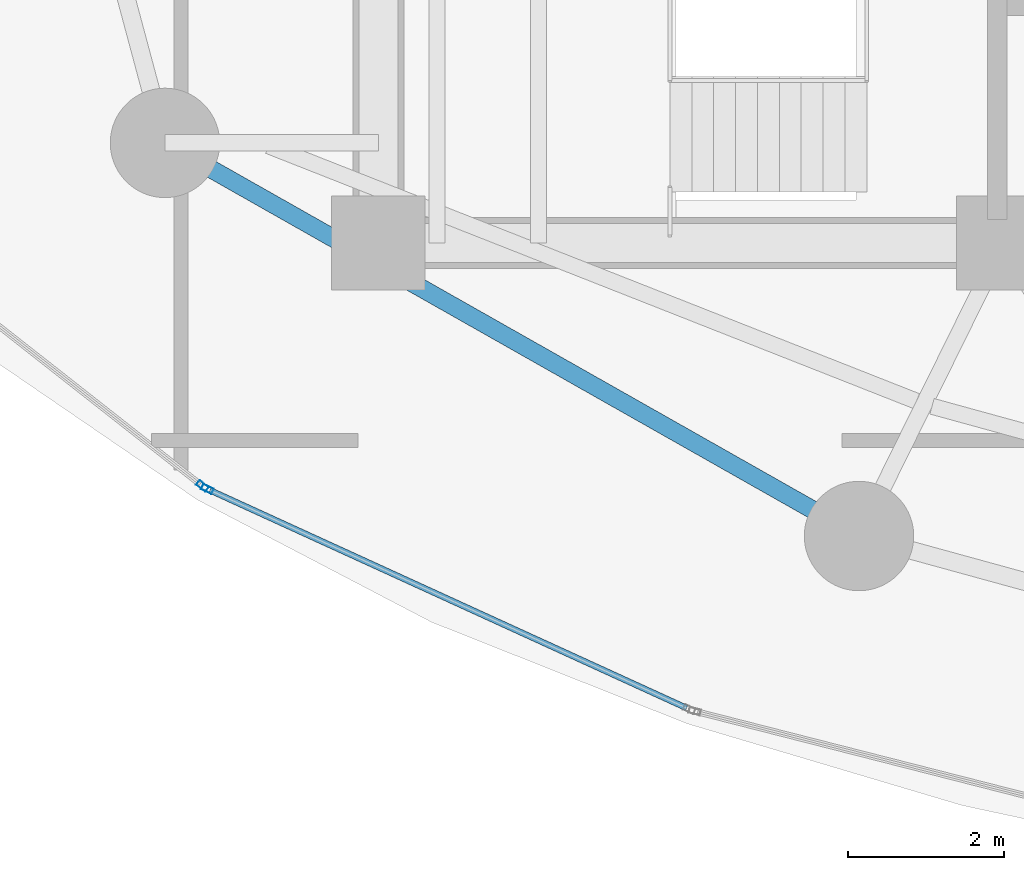
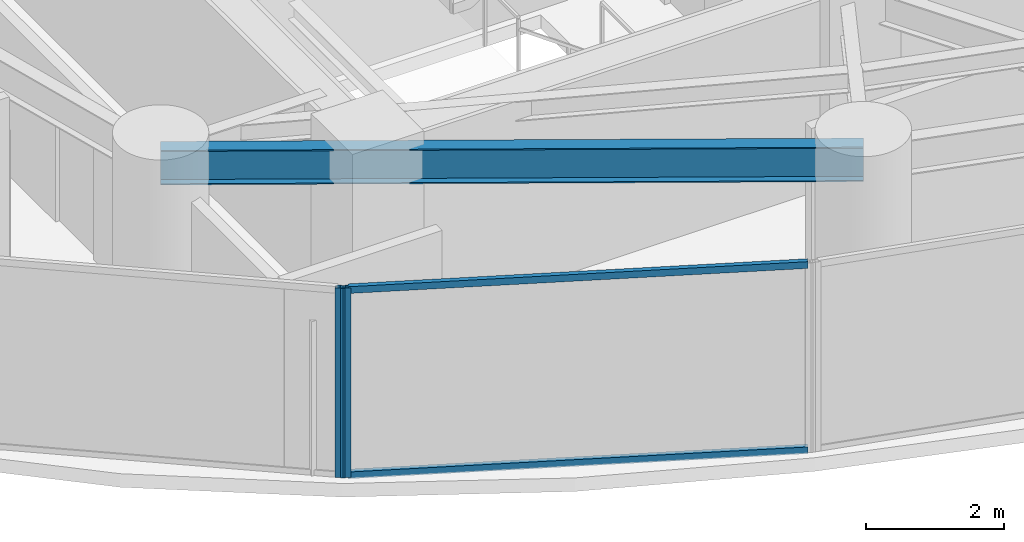
# One storey, part 2 of 31: 4 members, 1 beam, 2 elements without a shape of their own.
"""IFC4 building model written with IfcOpenShell, lengths in metres."""

from ifc_helpers import new_model, si_unit, direction, frame, origin, origin_2d, place, context, subcontext, project, spatial, hollow_rectangle, i_section, extrude, material, layer, layer_set, material_profile, profile_set, type_object, element, aggregate, save


model = new_model("IFC4")

# Units and contexts
model_context = context("Model", 3, precision=1e-05, world=origin(), true_north=direction((0.0, 1.0)))
body_context = subcontext(model_context, "Body", "Model", "MODEL_VIEW")
ifc_project = project(units=[si_unit("LENGTHUNIT", "METRE"), si_unit("AREAUNIT", "SQUARE_METRE"), si_unit("VOLUMEUNIT", "CUBIC_METRE"), si_unit("PLANEANGLEUNIT", "RADIAN"), si_unit("MASSUNIT", "GRAM", prefix="KILO")], contexts=[model_context])

# Site, building, storey
site_placement = place(None, origin())
site = spatial("IfcSite", under=ifc_project, at=site_placement, CompositionType="ELEMENT")
building_placement = place(site_placement, origin())
building = spatial("IfcBuilding", under=site, at=building_placement, Name="Kazevale Care Tower and Concert Hall", CompositionType="ELEMENT")
storey_placement = place(building_placement, frame((0.0, 0.0, 56.39990234375)))
storey = spatial("IfcBuildingStorey", under=building, at=storey_placement, Name="L14", CompositionType="ELEMENT", Elevation=56.39990234375)

# Curtain wall, member
ifc_material_1 = material(Name="Aluminium 6063-T6 and Low-E Glass", Category="aluminium")
ifc_layer = layer(ifc_material_1, 0.179931640625)
ifc_layer_set = layer_set([ifc_layer], Name="Aluminium 6063-T6 and Low-E Glass")
curtain_wall_type = type_object("IfcCurtainWallType", Name="Sheltered Concave Balcony Curtain Wall CW-5", PredefinedType="NOTDEFINED", material=ifc_layer_set)
curtain_wall_1_placement = place(storey_placement, origin())
curtain_wall_1 = element("IfcCurtainWall", 1, at=curtain_wall_1_placement, inside=storey, type_object=curtain_wall_type, Name="cw:L14:f09", PredefinedType="NOTDEFINED")
ifc_material_2 = material(Name="Aluminium 6063-T6", Category="aluminium")
ifc_material_profile_1 = material_profile(ifc_material_2, hollow_rectangle(XDim=0.074951171875, YDim=0.14990234375, WallThickness=0.00390625, at=origin_2d()), Name="ALU75x150x4")
ifc_profile_set_1 = profile_set([ifc_material_profile_1], Name="Aluminium 6063-T6")
member_type_1 = type_object("IfcMemberType", Name="CW-5 Mullion ALU75x150x4", PredefinedType="MULLION", material=ifc_profile_set_1)
member_1_placement = place(storey_placement, frame((19.81201171875, 20.451416015625, 0.0), z_axis=(0.0, 0.0, 1.0), x_axis=(-0.415659767773, -0.909520179795, 0.0)))
member_1 = element("IfcMember", 2, at=member_1_placement, type_object=member_type_1, Name="CW-5 mullion 2", PredefinedType="MULLION", context=body_context, shape_type="SweptSolid", body=[
    extrude(hollow_rectangle(XDim=0.074951171875, YDim=0.14990234375, WallThickness=0.00390625, at=origin_2d()), origin(), (0.0, 0.0, 1.0), 3.360107421875),
])

curtain_wall_2_placement = place(storey_placement, origin())
curtain_wall_2 = element("IfcCurtainWall", 3, at=curtain_wall_2_placement, inside=storey, type_object=curtain_wall_type, Name="cw:L14:f10", PredefinedType="NOTDEFINED")
member_2_placement = place(storey_placement, frame((19.74853515625, 20.490234375, 0.0), z_axis=(0.0, 0.0, 1.0), x_axis=(-0.617807548814, -0.78632934107, 0.0)))
member_2 = element("IfcMember", 4, at=member_2_placement, type_object=member_type_1, Name="CW-5 mullion 1", PredefinedType="MULLION", context=body_context, shape_type="SweptSolid", body=[
    extrude(hollow_rectangle(XDim=0.074951171875, YDim=0.14990234375, WallThickness=0.00390625, at=origin_2d()), origin(), (0.0, 0.0, 1.0), 3.360107421875),
])
aggregate(curtain_wall_2, [member_2])

# Member
ifc_material_profile_2 = material_profile(ifc_material_2, hollow_rectangle(XDim=0.074951171875, YDim=0.1201171875, WallThickness=0.00390625, at=origin_2d()), Name="ALU75x120x4")
ifc_profile_set_2 = profile_set([ifc_material_profile_2], Name="Aluminium 6063-T6")
member_type_2 = type_object("IfcMemberType", Name="CW-5 Transom ALU75x120x4", PredefinedType="USERDEFINED", material=ifc_profile_set_2)
member_3_placement = place(storey_placement, frame((25.94384765625, 17.649169921875, 0.03759765625), z_axis=(-0.909524040017, 0.415651320978, 0.0), x_axis=(-0.415651320978, -0.909524040017, 0.0)))
member_3 = element("IfcMember", 5, at=member_3_placement, type_object=member_type_2, Name="CW-5 transom 1.1", ObjectType="TRANSOM", PredefinedType="USERDEFINED", context=body_context, shape_type="SweptSolid", body=[
    extrude(hollow_rectangle(XDim=0.074951171875, YDim=0.1201171875, WallThickness=0.00390625, at=origin_2d()), origin(), (0.0, 0.0, 1.0), 6.704345703125),
])

member_4_placement = place(storey_placement, frame((25.94384765625, 17.649169921875, 3.322509765625), z_axis=(-0.909524040017, 0.415651320978, 0.0), x_axis=(-0.415651320978, -0.909524040017, 0.0)))
member_4 = element("IfcMember", 6, at=member_4_placement, type_object=member_type_2, Name="CW-5 transom 1.2", ObjectType="TRANSOM", PredefinedType="USERDEFINED", context=body_context, shape_type="SweptSolid", body=[
    extrude(hollow_rectangle(XDim=0.074951171875, YDim=0.1201171875, WallThickness=0.00390625, at=origin_2d()), origin(), (0.0, 0.0, 1.0), 6.704345703125),
])

aggregate(curtain_wall_1, [member_1, member_3, member_4])

# Beam
ifc_material_3 = material(Name="Steel ASTM A572 Gr 50", Category="steel")
ifc_material_profile_3 = material_profile(ifc_material_3, i_section(OverallWidth=0.22900390625, OverallDepth=0.612060546875, WebThickness=0.011962890625, FlangeThickness=0.01953125, at=origin_2d()), Name="W610x125")
ifc_profile_set_3 = profile_set([ifc_material_profile_3], Name="Steel ASTM A572 Gr 50")
beam_type = type_object("IfcBeamType", Name="Ring Spandrel Beam W610x125", PredefinedType="SPANDREL", material=ifc_profile_set_3)
beam_placement = place(storey_placement, frame((19.27001953125, 24.8798828125, 3.05419921875), z_axis=(0.870112469479, -0.492853213906, 0.0), x_axis=(0.492853213906, 0.870112469479, 0.0)))
element("IfcBeam", 7, at=beam_placement, inside=storey, type_object=beam_type, Name="beam:L14:ring:10", PredefinedType="SPANDREL", context=body_context, shape_type="SweptSolid", body=[
    extrude(i_section(OverallWidth=0.22900390625, OverallDepth=0.612060546875, WebThickness=0.011962890625, FlangeThickness=0.01953125, at=origin_2d()), origin(), (0.0, 0.0, 1.0), 10.205322265625),
])

save(model, "model.ifc")
